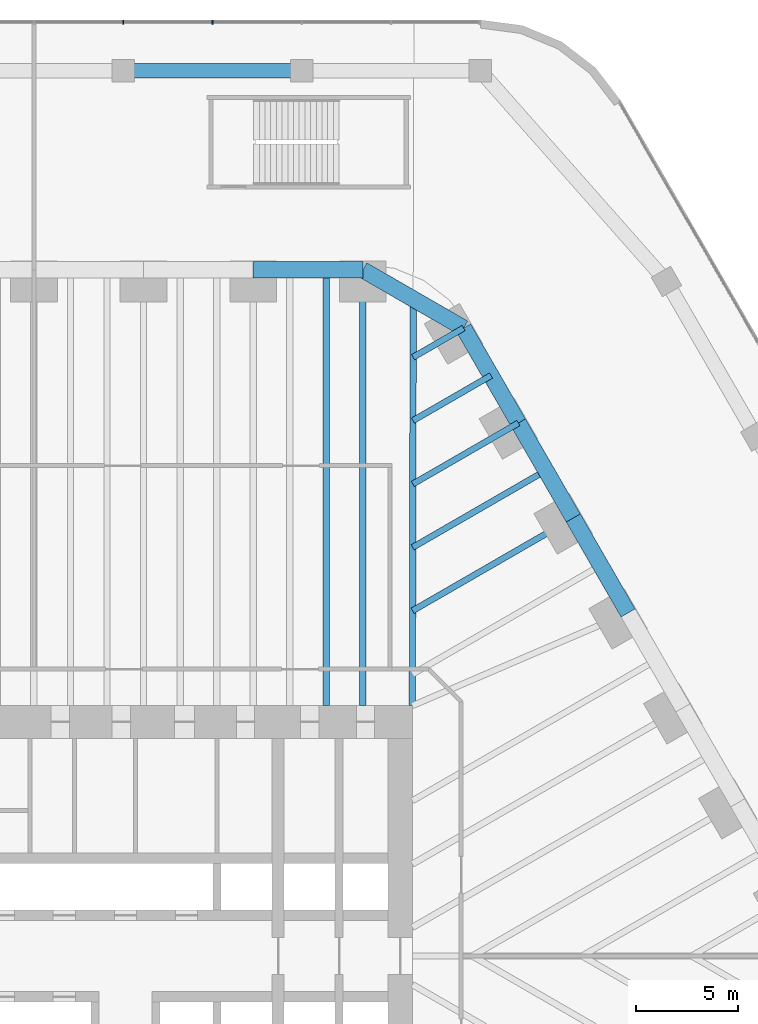
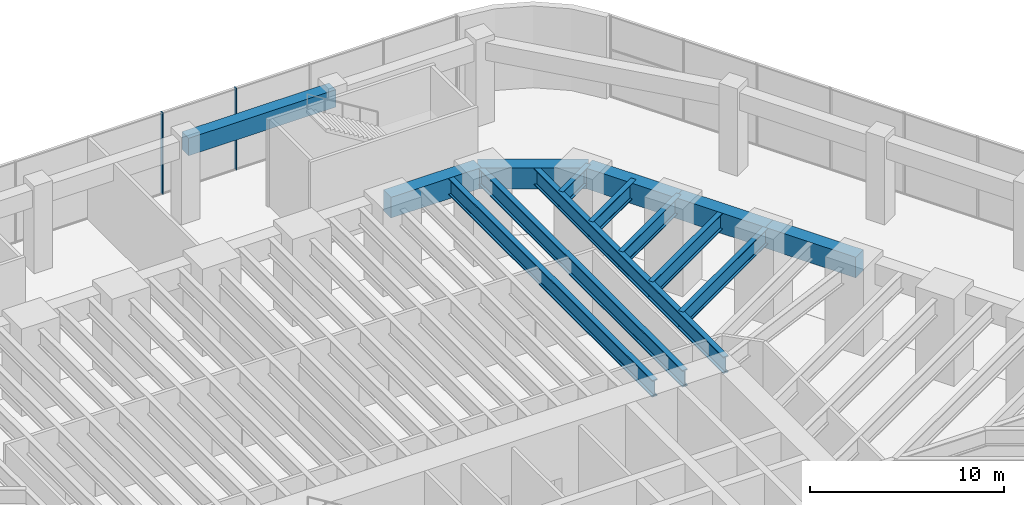
# One storey, part 20 of 31: 14 beams, 2 members, 1 element without a shape of its own.
"""IFC4 building model written with IfcOpenShell, lengths in metres."""

import ifcopenshell
import ifcopenshell.guid

model = None  # the IFC model being written
_history = None  # IfcOwnerHistory: only IFC2X3 demands one
_inside = {}  # id of a spatial element -> (the spatial element, [elements in it])
_under = {}  # id of a project, library or spatial element -> (it, [spatial elements below it])
_declared = {}  # id of a project -> (the project, [libraries it declares])
_typed = {}  # id of a type object -> (the type object, [elements of that type])
_made_of = {}  # id of a material, layer set ... -> (it, [elements and type objects made of it])


def new_model(schema):
    """Start an empty IFC model of exactly this schema.

    Asked for "IFC4X3", IfcOpenShell would pick the latest addendum, in which some entities
    have other attributes; the version numbers below select the first issue.
    IFC2X3 requires an IfcOwnerHistory on every rooted entity: one is made here for all.
    """
    global model, _history
    if schema == "IFC4X3":
        model = ifcopenshell.file(schema_version=(4, 3, 0, 0))
    else:
        model = ifcopenshell.file(schema=schema)
    _inside.clear()
    _under.clear()
    _declared.clear()
    _typed.clear()
    _made_of.clear()
    _history = None
    if model.schema == "IFC2X3":
        org = make("IfcOrganization", Name="unknown")
        user = make(
            "IfcPersonAndOrganization",
            ThePerson=make("IfcPerson", FamilyName="unknown"),
            TheOrganization=org,
        )
        app = make(
            "IfcApplication",
            ApplicationDeveloper=org,
            Version="unknown",
            ApplicationFullName="unknown",
            ApplicationIdentifier="unknown",
        )
        _history = make(
            "IfcOwnerHistory",
            OwningUser=user,
            OwningApplication=app,
            ChangeAction="ADDED",
            CreationDate=0,
        )
    return model


def make(cls, **values):
    """One entity of the class cls with the attributes given. An attribute that is None is left unset."""
    return model.create_entity(
        cls, **{name: value for name, value in values.items() if value is not None}
    )


def rooted(cls, **values):
    """An entity with a GlobalId (a new one), such as an element, a storey or a relation."""
    return make(cls, GlobalId=ifcopenshell.guid.new(), OwnerHistory=_history, **values)


def si_unit(unit_type, name, prefix=None):
    """IfcSIUnit, for example si_unit("LENGTHUNIT", "METRE", prefix="MILLI")."""
    return make("IfcSIUnit", UnitType=unit_type, Prefix=prefix, Name=name)


def assignment(units):
    """IfcUnitAssignment: the units of a project."""
    return None if units is None else make("IfcUnitAssignment", Units=units)


def point(xyz):
    """IfcCartesianPoint."""
    return None if xyz is None else make("IfcCartesianPoint", Coordinates=xyz)


def direction(xyz):
    """IfcDirection."""
    return None if xyz is None else make("IfcDirection", DirectionRatios=xyz)


def frame(location, z_axis=None, x_axis=None):
    """IfcAxis2Placement3D, a coordinate frame: its origin and axes. An axis left out is left unset."""
    return make(
        "IfcAxis2Placement3D",
        Location=point(location),
        Axis=direction(z_axis),
        RefDirection=direction(x_axis),
    )


def frame_2d(location, x_axis=None):
    """IfcAxis2Placement2D, a coordinate frame in the plane: its origin and x axis."""
    return make(
        "IfcAxis2Placement2D", Location=point(location), RefDirection=direction(x_axis)
    )


def origin():
    """The frame at (0, 0, 0) with its axes left unset."""
    return frame((0.0, 0.0, 0.0))


def origin_2d():
    """The frame at (0, 0) in the plane with its x axis left unset."""
    return frame_2d((0.0, 0.0))


def place(relative_to, where):
    """IfcLocalPlacement: puts the frame where relative to a parent placement (None: the world)."""
    return make(
        "IfcLocalPlacement", PlacementRelTo=relative_to, RelativePlacement=where
    )


def context(
    kind, dimensions, precision=None, world=None, true_north=None, identifier=None
):
    """IfcGeometricRepresentationContext, for example the 3D "Model" context."""
    return make(
        "IfcGeometricRepresentationContext",
        ContextIdentifier=identifier,
        ContextType=kind,
        CoordinateSpaceDimension=dimensions,
        Precision=precision,
        WorldCoordinateSystem=world,
        TrueNorth=true_north,
    )


def subcontext(parent, identifier, kind, view, scale=None):
    """IfcGeometricRepresentationSubContext, for example "Body" below "Model"."""
    return make(
        "IfcGeometricRepresentationSubContext",
        ContextIdentifier=identifier,
        ContextType=kind,
        ParentContext=parent,
        TargetScale=scale,
        TargetView=view,
    )


def project(units=None, contexts=None):
    """IfcProject with its units and contexts."""
    return rooted(
        "IfcProject",
        Name="project",
        RepresentationContexts=contexts,
        UnitsInContext=assignment(units),
    )


def spatial(cls, under=None, at=None, **own):
    """A site, building, storey or space (cls), placed at a placement, below another one or the project."""
    s = rooted(cls, ObjectPlacement=at, **own)
    if under is not None:
        _under.setdefault(under.id(), (under, []))[1].append(s)
    return s


def profile(cls, at=None, kind="AREA", **sizes):
    """A parametric profile (cls). Its sizes go by their IFC names, for example OverallWidth=200.0."""
    return make(cls, ProfileType=kind, Position=at, **sizes)


def rectangle(**sizes):
    """IfcRectangleProfileDef."""
    return profile("IfcRectangleProfileDef", **sizes)


def i_section(**sizes):
    """IfcIShapeProfileDef."""
    return profile("IfcIShapeProfileDef", **sizes)


def extrude(swept, where, along, depth):
    """IfcExtrudedAreaSolid: the profile swept, set in the frame where, extruded along a direction by depth."""
    return make(
        "IfcExtrudedAreaSolid",
        SweptArea=swept,
        Position=where,
        ExtrudedDirection=direction(along),
        Depth=depth,
    )


def shape(context_of_items, identifier, shape_type, items):
    """IfcShapeRepresentation: the items that make up one representation, for example the "Body"."""
    return make(
        "IfcShapeRepresentation",
        ContextOfItems=context_of_items,
        RepresentationIdentifier=identifier,
        RepresentationType=shape_type,
        Items=items,
    )


def material(Name=None, Category=None):
    """IfcMaterial."""
    return make("IfcMaterial", Name=Name, Category=Category)


def material_profile(
    of_material, cross_section, Name=None, Category=None, Priority=None
):
    """IfcMaterialProfile: a cross section and its material."""
    return make(
        "IfcMaterialProfile",
        Name=Name,
        Material=of_material,
        Profile=cross_section,
        Priority=Priority,
        Category=Category,
    )


def profile_set(profiles, Name=None, composite=None):
    """IfcMaterialProfileSet."""
    return make(
        "IfcMaterialProfileSet",
        Name=Name,
        MaterialProfiles=profiles,
        CompositeProfile=composite,
    )


def made_of(thing, what):
    """Note that an element or type object is made of a material, layer set ...; save() writes the relation."""
    if what is not None:
        _made_of.setdefault(what.id(), (what, []))[1].append(thing)
    return thing


def type_object(cls, material=None, **own):
    """A type object (cls), such as IfcWallType, which elements share."""
    return made_of(rooted(cls, **own), material)


def element(
    cls,
    number,
    at=None,
    inside=None,
    cuts=None,
    type_object=None,
    material=None,
    context=None,
    identifier="Body",
    shape_type=None,
    held_by="IfcProductDefinitionShape",
    body=None,
    shapes=None,
    **own,
):
    """One element of the class cls, such as IfcWall. Its Tag is "e" and its number.

    at: its placement. inside: the storey or other place that contains it. cuts: it is an
    opening in that element (IfcRelVoidsElement). A single representation is given by context,
    identifier, shape_type and body (its items); several are given by shapes. held_by: the class
    of the entity that holds the representations. save() writes the other relations.
    """
    e = rooted(cls, Tag="e%d" % number, ObjectPlacement=at, **own)
    if body is not None:
        shapes = [shape(context, identifier, shape_type, body)]
    if shapes is not None:
        e.Representation = make(held_by, Representations=shapes)
    if inside is not None:
        _inside.setdefault(inside.id(), (inside, []))[1].append(e)
    if cuts is not None:
        rooted(
            "IfcRelVoidsElement", RelatingBuildingElement=cuts, RelatedOpeningElement=e
        )
    if type_object is not None:
        _typed.setdefault(type_object.id(), (type_object, []))[1].append(e)
    return made_of(e, material)


def aggregate(whole, parts):
    """IfcRelAggregates: a whole, such as a stair, and the parts it consists of."""
    return rooted("IfcRelAggregates", RelatingObject=whole, RelatedObjects=parts)


def save(model, path):
    """Write the relations noted so far, then the file.

    IfcRelAggregates (storeys below a building ...), IfcRelContainedInSpatialStructure (elements
    in a storey), IfcRelDefinesByType, IfcRelAssociatesMaterial and IfcRelDeclares: one each for
    every whole, place, type object, material and project.
    """
    for whole, parts in _under.values():
        aggregate(whole, parts)
    for where, things in _inside.values():
        rooted(
            "IfcRelContainedInSpatialStructure",
            RelatedElements=things,
            RelatingStructure=where,
        )
    for kind, things in _typed.values():
        rooted("IfcRelDefinesByType", RelatedObjects=things, RelatingType=kind)
    for what, things in _made_of.values():
        rooted("IfcRelAssociatesMaterial", RelatedObjects=things, RelatingMaterial=what)
    for by, libraries in _declared.values():
        rooted("IfcRelDeclares", RelatingContext=by, RelatedDefinitions=libraries)
    model.write(path)


model = new_model("IFC4")

# Units and contexts
model_context = context("Model", 3, precision=1e-05, world=origin(), true_north=direction((0.0, 1.0)))
body_context = subcontext(model_context, "Body", "Model", "MODEL_VIEW")
ifc_project = project(units=[si_unit("LENGTHUNIT", "METRE"), si_unit("AREAUNIT", "SQUARE_METRE"), si_unit("VOLUMEUNIT", "CUBIC_METRE"), si_unit("PLANEANGLEUNIT", "RADIAN"), si_unit("MASSUNIT", "GRAM", prefix="KILO")], contexts=[model_context])

# Site, building, storey
site_placement = place(None, origin())
site = spatial("IfcSite", under=ifc_project, at=site_placement, CompositionType="ELEMENT")
building_placement = place(site_placement, origin())
building = spatial("IfcBuilding", under=site, at=building_placement, Name="Tarfa Lantern Tower", CompositionType="ELEMENT")
storey_placement = place(building_placement, frame((0.0, 0.0, 13.0)))
storey = spatial("IfcBuildingStorey", under=building, at=storey_placement, Name="L02", CompositionType="ELEMENT", Elevation=13.0)

# Curtain wall, members
ifc_material_1 = material(Name="Aluminium framed curtain wall", Category="aluminium")
curtain_wall_type = type_object("IfcCurtainWallType", Name="CW7 PODIUM GLAZING 5150", PredefinedType="USERDEFINED", material=ifc_material_1)
curtain_wall_placement = place(storey_placement, origin())
curtain_wall = element("IfcCurtainWall", 1, at=curtain_wall_placement, inside=storey, type_object=curtain_wall_type, Name="CW7 N L02", ObjectType="CURTAIN WALL", PredefinedType="USERDEFINED")
ifc_material_2 = material(Name="Aluminium mullion", Category="aluminium")
ifc_material_profile_1 = material_profile(ifc_material_2, rectangle(XDim=0.06494140625, YDim=0.199951171875, at=origin_2d()), Name="AL MULLION 65x200")
ifc_profile_set_1 = profile_set([ifc_material_profile_1], Name="Aluminium mullion")
member_type = type_object("IfcMemberType", Name="CWM1 MULLION 65x200", PredefinedType="MULLION", material=ifc_profile_set_1)
member_1_placement = place(storey_placement, frame((8.775634765625, 45.89990234375, 0.0), z_axis=(0.0, 0.0, 1.0), x_axis=(1.0, 0.0, 0.0)))
member_1 = element("IfcMember", 2, at=member_1_placement, type_object=member_type, Name="CW7 mullion 4", PredefinedType="MULLION", context=body_context, shape_type="SweptSolid", body=[
    extrude(rectangle(XDim=0.06494140625, YDim=0.199951171875, at=origin_2d()), origin(), (0.0, 0.0, 1.0), 5.14990234375),
])
member_2_placement = place(storey_placement, frame((4.387939453125, 45.89990234375, 0.0), z_axis=(0.0, 0.0, 1.0), x_axis=(1.0, 0.0, 0.0)))
member_2 = element("IfcMember", 3, at=member_2_placement, type_object=member_type, Name="CW7 mullion 5", PredefinedType="MULLION", context=body_context, shape_type="SweptSolid", body=[
    extrude(rectangle(XDim=0.06494140625, YDim=0.199951171875, at=origin_2d()), origin(), (0.0, 0.0, 1.0), 5.14990234375),
])
aggregate(curtain_wall, [member_1, member_2])

# Beams
ifc_material_3 = material(Name="Concrete C80/95", Category="concrete")
ifc_material_profile_2 = material_profile(ifc_material_3, rectangle(XDim=0.800048828125, YDim=1.300048828125, at=origin_2d()), Name="RC 800x1300")
ifc_profile_set_2 = profile_set([ifc_material_profile_2], Name="Concrete C80/95")
beam_type_1 = type_object("IfcBeamType", Name="EB1 RC 800x1300", PredefinedType="SPANDREL", material=ifc_profile_set_2)
beam_1_placement = place(storey_placement, frame((29.202392578125, 16.860107421875, 4.5), z_axis=(-0.500017906299, 0.866015065331, 0.0), x_axis=(-0.866015065331, -0.500017906299, 0.0)))
element("IfcBeam", 4, at=beam_1_placement, inside=storey, type_object=beam_type_1, Name="Edge beam NE3", PredefinedType="SPANDREL", context=body_context, shape_type="SweptSolid", body=[
    extrude(rectangle(XDim=0.800048828125, YDim=1.300048828125, at=origin_2d()), origin(), (0.0, 0.0, 1.0), 5.388427734375),
])
for number, where, z_axis, x_axis, name in (
    (5, (26.508056640625, 21.526611328125, 4.5), (-0.499998287579, 0.866026392449, 0.0), (-0.866026392449, -0.499998287579, 0.0), "Edge beam NE4"),
    (6, (23.813720703125, 26.193359375, 4.5), (-0.499998287579, 0.866026392449, 0.0), (-0.866026392449, -0.499998287579, 0.0), "Edge beam NE5"),
):
    element("IfcBeam", number, at=place(storey_placement, frame(where, z_axis=z_axis, x_axis=x_axis)), inside=storey, type_object=beam_type_1, Name=name, PredefinedType="SPANDREL", context=body_context, shape_type="SweptSolid", body=[
        extrude(rectangle(XDim=0.800048828125, YDim=1.300048828125, at=origin_2d()), origin(), (0.0, 0.0, 1.0), 5.388671875),
    ])
beam_2_placement = place(storey_placement, frame((21.119384765625, 30.860107421875, 4.5), z_axis=(-0.866033479681, 0.499986011877, 0.0), x_axis=(-0.499986011877, -0.866033479681, 0.0)))
element("IfcBeam", 7, at=beam_2_placement, inside=storey, type_object=beam_type_1, Name="Edge beam NE6", PredefinedType="SPANDREL", context=body_context, shape_type="SweptSolid", body=[
    extrude(rectangle(XDim=0.800048828125, YDim=1.300048828125, at=origin_2d()), origin(), (0.0, 0.0, 1.0), 5.719970703125),
])
beam_3_placement = place(storey_placement, frame((16.165771484375, 33.719970703125, 4.5), z_axis=(-1.0, 0.0, 0.0), x_axis=(0.0, -1.0, 0.0)))
element("IfcBeam", 8, at=beam_3_placement, inside=storey, type_object=beam_type_1, Name="Edge beam N0", PredefinedType="SPANDREL", context=body_context, shape_type="SweptSolid", body=[
    extrude(rectangle(XDim=0.800048828125, YDim=1.300048828125, at=origin_2d()), origin(), (0.0, 0.0, 1.0), 5.388671875),
])
ifc_material_profile_3 = material_profile(ifc_material_3, rectangle(XDim=0.699951171875, YDim=1.10009765625, at=origin_2d()), Name="RC 700x1100")
ifc_profile_set_3 = profile_set([ifc_material_profile_3], Name="Concrete C80/95")
beam_type_2 = type_object("IfcBeamType", Name="PB1 RC 700x1100", PredefinedType="BEAM", material=ifc_profile_set_3)
beam_4_placement = place(storey_placement, frame((13.16357421875, 43.5, 4.60009765625), z_axis=(-1.0, 0.0, 0.0), x_axis=(0.0, -1.0, 0.0)))
element("IfcBeam", 9, at=beam_4_placement, inside=storey, type_object=beam_type_2, Name="Podium ring beam N1", PredefinedType="BEAM", context=body_context, shape_type="SweptSolid", body=[
    extrude(rectangle(XDim=0.699951171875, YDim=1.10009765625, at=origin_2d()), origin(), (0.0, 0.0, 1.0), 8.775634765625),
])
ifc_material_4 = material(Name="Steel S460M", Category="steel")
ifc_material_profile_4 = material_profile(ifc_material_4, i_section(OverallWidth=0.302001953125, OverallDepth=1.008056640625, WebThickness=0.02099609375, FlangeThickness=0.0400390625, FilletRadius=0.030029296875, at=origin_2d()), Name="UB1016x305x349")
ifc_profile_set_4 = profile_set([ifc_material_profile_4], Name="Steel S460M")
beam_type_3 = type_object("IfcBeamType", Name="UB1016x305x349", PredefinedType="BEAM", material=ifc_profile_set_4)
beam_5_placement = place(storey_placement, frame((26.508056640625, 21.526611328125, 4.64599609375), z_axis=(-0.866035355799, -0.49998276221, 0.0), x_axis=(0.49998276221, -0.866035355799, 0.0)))
element("IfcBeam", 10, at=beam_5_placement, inside=storey, type_object=beam_type_3, Name="Floor beam NE4", PredefinedType="BEAM", context=body_context, shape_type="SweptSolid", body=[
    extrude(i_section(OverallWidth=0.302001953125, OverallDepth=1.008056640625, WebThickness=0.02099609375, FlangeThickness=0.0400390625, FilletRadius=0.030029296875, at=origin_2d()), origin(), (0.0, 0.0, 1.0), 9.119873046875),
])
beam_6_placement = place(storey_placement, frame((23.813720703125, 26.193359375, 4.64599609375), z_axis=(-0.866015997389, -0.500016292001, 0.0), x_axis=(0.500016292001, -0.866015997389, 0.0)))
element("IfcBeam", 11, at=beam_6_placement, inside=storey, type_object=beam_type_3, Name="Floor beam NE5", PredefinedType="BEAM", context=body_context, shape_type="SweptSolid", body=[
    extrude(i_section(OverallWidth=0.302001953125, OverallDepth=1.008056640625, WebThickness=0.02099609375, FlangeThickness=0.0400390625, FilletRadius=0.030029296875, at=origin_2d()), origin(), (0.0, 0.0, 1.0), 5.993408203125),
])
beam_7_placement = place(storey_placement, frame((21.119384765625, 30.860107421875, 4.64599609375), z_axis=(-0.866012580594, -0.500022209759, 0.0), x_axis=(0.500022209759, -0.866012580594, 0.0)))
element("IfcBeam", 12, at=beam_7_placement, inside=storey, type_object=beam_type_3, Name="Floor beam NE6", PredefinedType="BEAM", context=body_context, shape_type="SweptSolid", body=[
    extrude(i_section(OverallWidth=0.302001953125, OverallDepth=1.008056640625, WebThickness=0.02099609375, FlangeThickness=0.0400390625, FilletRadius=0.030029296875, at=origin_2d()), origin(), (0.0, 0.0, 1.0), 2.866943359375),
])
beam_8_placement = place(storey_placement, frame((25.160888671875, 23.860107421875, 4.64599609375), z_axis=(-0.866009650502, -0.500027284493, 0.0), x_axis=(0.500027284493, -0.866009650502, 0.0)))
element("IfcBeam", 13, at=beam_8_placement, inside=storey, type_object=beam_type_3, Name="Floor beam NE4M", PredefinedType="BEAM", context=body_context, shape_type="SweptSolid", body=[
    extrude(i_section(OverallWidth=0.302001953125, OverallDepth=1.008056640625, WebThickness=0.02099609375, FlangeThickness=0.0400390625, FilletRadius=0.030029296875, at=origin_2d()), origin(), (0.0, 0.0, 1.0), 7.556640625),
])
beam_9_placement = place(storey_placement, frame((22.466552734375, 28.526611328125, 4.64599609375), z_axis=(-0.866026823135, -0.499997541604, 0.0), x_axis=(0.499997541604, -0.866026823135, 0.0)))
element("IfcBeam", 14, at=beam_9_placement, inside=storey, type_object=beam_type_3, Name="Floor beam NE5M", PredefinedType="BEAM", context=body_context, shape_type="SweptSolid", body=[
    extrude(i_section(OverallWidth=0.302001953125, OverallDepth=1.008056640625, WebThickness=0.02099609375, FlangeThickness=0.0400390625, FilletRadius=0.030029296875, at=origin_2d()), origin(), (0.0, 0.0, 1.0), 4.43017578125),
])
ifc_material_profile_5 = material_profile(ifc_material_4, i_section(OverallWidth=0.314208984375, OverallDepth=1.055908203125, WebThickness=0.035888671875, FlangeThickness=0.06396484375, FilletRadius=0.030029296875, at=origin_2d()), Name="UB1016x305x584")
ifc_profile_set_5 = profile_set([ifc_material_profile_5], Name="Steel S460M")
beam_type_4 = type_object("IfcBeamType", Name="UB1016x305x584", PredefinedType="BEAM", material=ifc_profile_set_5)
beam_10_placement = place(storey_placement, frame((18.60009765625, 12.300048828125, 4.6220703125), z_axis=(0.00212508222, 0.99999774201, 0.0), x_axis=(-0.99999774201, 0.00212508222, 0.0)))
element("IfcBeam", 15, at=beam_10_placement, inside=storey, type_object=beam_type_4, Name="Hip girder NE", PredefinedType="BEAM", context=body_context, shape_type="SweptSolid", body=[
    extrude(i_section(OverallWidth=0.314208984375, OverallDepth=1.055908203125, WebThickness=0.035888671875, FlangeThickness=0.06396484375, FilletRadius=0.030029296875, at=origin_2d()), origin(), (0.0, 0.0, 1.0), 19.989990234375),
])
for number, where, z_axis, x_axis, name in (
    (16, (16.165771484375, 33.719970703125, 4.6220703125), (0.0, -1.0, 0.0), (1.0, 0.0, 0.0), "Floor beam N0"),
    (17, (14.36962890625, 33.719970703125, 4.6220703125), (0.0, -1.0, 0.0), (1.0, 0.0, 0.0), "Floor beam N0M1"),
):
    element("IfcBeam", number, at=place(storey_placement, frame(where, z_axis=z_axis, x_axis=x_axis)), inside=storey, type_object=beam_type_4, Name=name, PredefinedType="BEAM", context=body_context, shape_type="SweptSolid", body=[
        extrude(i_section(OverallWidth=0.314208984375, OverallDepth=1.055908203125, WebThickness=0.035888671875, FlangeThickness=0.06396484375, FilletRadius=0.030029296875, at=origin_2d()), origin(), (0.0, 0.0, 1.0), 21.419921875),
    ])

save(model, "model.ifc")
